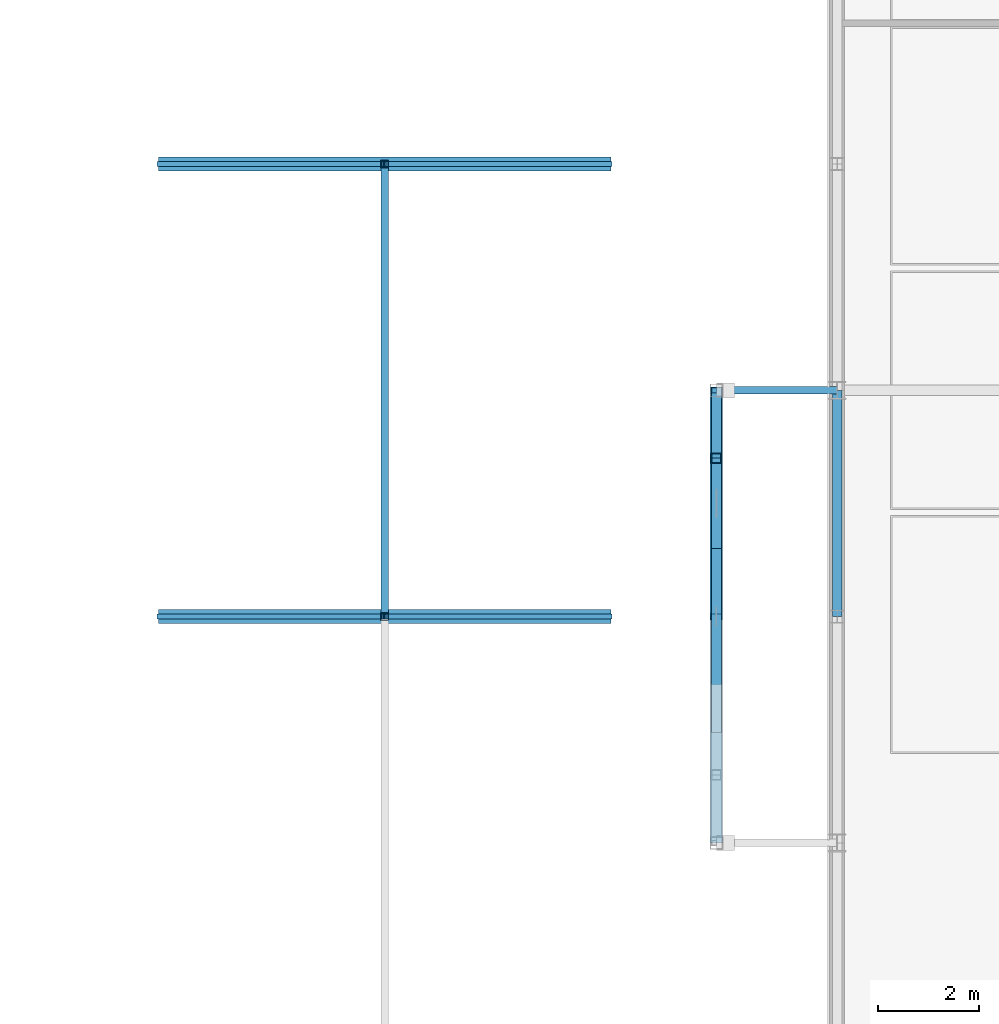
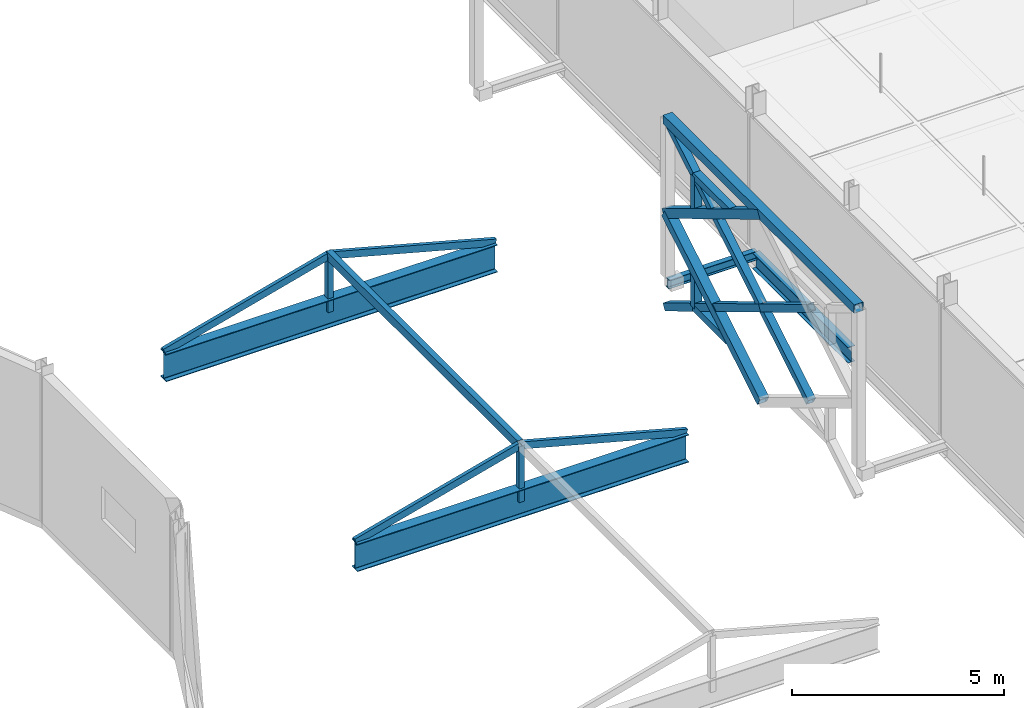
# One storey, part 19 of 89: 18 members, 5 beams.
"""IFC4 building model written with IfcOpenShell, lengths in metres."""

from ifc_helpers import new_model, si_unit, direction, frame, origin, origin_2d, place, context, subcontext, project, spatial, hollow_rectangle, i_section, extrude, material, material_profile, profile_set, type_object, element, save


model = new_model("IFC4")

# Units and contexts
model_context = context("Model", 3, precision=1e-05, world=origin(), true_north=direction((0.0, 1.0)))
body_context = subcontext(model_context, "Body", "Model", "MODEL_VIEW")
ifc_project = project(units=[si_unit("LENGTHUNIT", "METRE"), si_unit("AREAUNIT", "SQUARE_METRE"), si_unit("VOLUMEUNIT", "CUBIC_METRE"), si_unit("PLANEANGLEUNIT", "RADIAN"), si_unit("MASSUNIT", "GRAM", prefix="KILO"), si_unit("THERMODYNAMICTEMPERATUREUNIT", "KELVIN"), si_unit("POWERUNIT", "WATT")], contexts=[model_context])

# Site, building, storey
site_placement = place(None, origin())
site = spatial("IfcSite", under=ifc_project, at=site_placement, CompositionType="ELEMENT")
building_placement = place(site_placement, origin())
building = spatial("IfcBuilding", under=site, at=building_placement, Name="Tallowbark Science Centre", CompositionType="ELEMENT")
storey_placement = place(building_placement, frame((0.0, 0.0, 14.39990234375)))
storey = spatial("IfcBuildingStorey", under=building, at=storey_placement, Name="L03", CompositionType="ELEMENT", Elevation=14.39990234375)

# Beams
ifc_material_1 = material(Name="White Architectural Painted Steel Grade C350L0 (350 MPa)", Category="steel")
ifc_material_profile_1 = material_profile(ifc_material_1, i_section(OverallWidth=0.146484375, OverallDepth=0.256103515625, WebThickness=0.00634765625, FlangeThickness=0.010986328125, FilletRadius=0.0087890625, at=origin_2d()), Name="250UB37.3")
ifc_profile_set_1 = profile_set([ifc_material_profile_1], Name="White Architectural Painted Steel Grade C350L0 (350 MPa)")
beam_type_1 = type_object("IfcBeamType", Name="BM-OUT250", PredefinedType="BEAM", material=ifc_profile_set_1)
beam_1_placement = place(storey_placement, frame((58.5, 22.5, -0.25), z_axis=(-1.0, 0.0, 0.0), x_axis=(0.0, -1.0, 0.0)))
element("IfcBeam", 1, at=beam_1_placement, inside=storey, type_object=beam_type_1, Name="Star Screen Outrigger Tie Beam W-52", PredefinedType="BEAM", context=body_context, shape_type="SweptSolid", body=[
    extrude(i_section(OverallWidth=0.146484375, OverallDepth=0.256103515625, WebThickness=0.00634765625, FlangeThickness=0.010986328125, FilletRadius=0.0087890625, at=origin_2d()), origin(), (0.0, 0.0, 1.0), 2.39990234375),
])
ifc_material_2 = material(Name="Structural Steel Grade 300PLUS (300 MPa)", Category="steel")
ifc_material_profile_2 = material_profile(ifc_material_2, i_section(OverallWidth=0.27490234375, OverallDepth=0.7919921875, WebThickness=0.011962890625, FlangeThickness=0.02001953125, FilletRadius=0.013916015625, at=origin_2d()), Name="800WB146")
ifc_profile_set_2 = profile_set([ifc_material_profile_2], Name="Structural Steel Grade 300PLUS (300 MPa)")
beam_type_2 = type_object("IfcBeamType", Name="BM-WB800", PredefinedType="BEAM", material=ifc_profile_set_2)
for number, where, z_axis, x_axis, name in (
    (2, (45.0, 18.0, -1.449951171875), (1.0, 0.0, 0.0), (0.0, 1.0, 0.0), "Passage Skylight Tie Beam 3"),
    (3, (45.0, 27.0, -1.449951171875), (1.0, 0.0, 0.0), (0.0, 1.0, 0.0), "Passage Skylight Tie Beam 4H"),
):
    element("IfcBeam", number, at=place(storey_placement, frame(where, z_axis=z_axis, x_axis=x_axis)), inside=storey, type_object=beam_type_2, Name=name, PredefinedType="BEAM", context=body_context, shape_type="SweptSolid", body=[
        extrude(i_section(OverallWidth=0.27490234375, OverallDepth=0.7919921875, WebThickness=0.011962890625, FlangeThickness=0.02001953125, FilletRadius=0.013916015625, at=origin_2d()), origin(), (0.0, 0.0, 1.0), 9.0),
    ])

# Members
ifc_material_3 = material(Name="Structural Steel Grade C350L0 (350 MPa)", Category="steel")
ifc_material_profile_3 = material_profile(ifc_material_3, hollow_rectangle(XDim=0.10009765625, YDim=0.199951171875, WallThickness=0.006103515625, at=origin_2d()), Name="200x100x6.0RHS")
ifc_profile_set_3 = profile_set([ifc_material_profile_3], Name="Structural Steel Grade C350L0 (350 MPa)")
member_type_1 = type_object("IfcMemberType", Name="RFT-200RHS", PredefinedType="RAFTER", material=ifc_profile_set_3)
for number, where, z_axis, x_axis, name in (
    (4, (45.0, 18.0, -1.0498046875), (0.965923723713, 0.0, 0.258826891896), (0.0, 1.0, 0.0), "Passage Skylight West Rafter 3"),
    (5, (49.5, 18.0, 0.156005859375), (0.965923723713, 0.0, -0.258826891896), (0.0, 1.0, 0.0), "Passage Skylight East Rafter 3"),
    (6, (45.0, 27.0, -1.0498046875), (0.965923723713, 0.0, 0.258826891896), (0.0, 1.0, 0.0), "Passage Skylight West Rafter 4H"),
    (7, (49.5, 27.0, 0.156005859375), (0.965923723713, 0.0, -0.258826891896), (0.0, 1.0, 0.0), "Passage Skylight East Rafter 4H"),
):
    element("IfcMember", number, at=place(storey_placement, frame(where, z_axis=z_axis, x_axis=x_axis)), inside=storey, type_object=member_type_1, Name=name, PredefinedType="RAFTER", context=body_context, shape_type="SweptSolid", body=[
        extrude(hollow_rectangle(XDim=0.10009765625, YDim=0.199951171875, WallThickness=0.006103515625, at=origin_2d()), origin(), (0.0, 0.0, 1.0), 4.65869140625),
    ])
ifc_material_profile_4 = material_profile(ifc_material_1, hollow_rectangle(XDim=0.25, YDim=0.25, WallThickness=0.009033203125, at=origin_2d()), Name="250x250x9.0SHS")
ifc_profile_set_4 = profile_set([ifc_material_profile_4], Name="White Architectural Painted Steel Grade C350L0 (350 MPa)")
member_type_2 = type_object("IfcMemberType", Name="SCR-CHD200", PredefinedType="CHORD", material=ifc_profile_set_4)
member_1_placement = place(storey_placement, frame((56.10009765625, 13.5, 4.5), z_axis=(0.0, 1.0, 0.0), x_axis=(-1.0, 0.0, 0.0)))
element("IfcMember", 8, at=member_1_placement, inside=storey, type_object=member_type_2, Name="Star Screen Frame Chord W-30", PredefinedType="CHORD", context=body_context, shape_type="SweptSolid", body=[
    extrude(hollow_rectangle(XDim=0.25, YDim=0.25, WallThickness=0.009033203125, at=origin_2d()), origin(), (0.0, 0.0, 1.0), 9.0),
])
for number, where, z_axis, x_axis, name in (
    (9, (56.10009765625, 18.0, -0.89990234375), (0.0, 0.857497030584, 0.514488913912), (-1.0, 0.0, 0.0), "Star Screen Octagram Diamond Chord W-30-1"),
    (10, (56.10009765625, 22.5, 1.800048828125), (0.0, -0.857497030584, 0.514488913912), (1.0, 0.0, 0.0), "Star Screen Octagram Diamond Chord W-30-2"),
):
    element("IfcMember", number, at=place(storey_placement, frame(where, z_axis=z_axis, x_axis=x_axis)), inside=storey, type_object=member_type_2, Name=name, PredefinedType="CHORD", context=body_context, shape_type="SweptSolid", body=[
        extrude(hollow_rectangle(XDim=0.25, YDim=0.25, WallThickness=0.009033203125, at=origin_2d()), origin(), (0.0, 0.0, 1.0), 5.247802734375),
    ])
ifc_material_profile_5 = material_profile(ifc_material_1, hollow_rectangle(XDim=0.199951171875, YDim=0.199951171875, WallThickness=0.009033203125, at=origin_2d()), Name="200x200x9.0SHS")
ifc_profile_set_5 = profile_set([ifc_material_profile_5], Name="White Architectural Painted Steel Grade C350L0 (350 MPa)")
member_type_3 = type_object("IfcMemberType", Name="SCR-STAR139", PredefinedType="BRACE", material=ifc_profile_set_5)
member_2_placement = place(storey_placement, frame((56.10009765625, 15.75, 0.4501953125), z_axis=(0.0, 0.857497030584, 0.514488913912), x_axis=(-1.0, 0.0, 0.0)))
element("IfcMember", 11, at=member_2_placement, inside=storey, type_object=member_type_3, Name="Star Screen Continuous X-Diagonal D1M W-30", PredefinedType="BRACE", context=body_context, shape_type="SweptSolid", body=[
    extrude(hollow_rectangle(XDim=0.199951171875, YDim=0.199951171875, WallThickness=0.009033203125, at=origin_2d()), origin(), (0.0, 0.0, 1.0), 5.247802734375),
])
member_3_placement = place(storey_placement, frame((56.10009765625, 20.25, 3.150146484375), z_axis=(0.0, 0.857517554715, 0.514454704863), x_axis=(-1.0, 0.0, 0.0)))
element("IfcMember", 12, at=member_3_placement, inside=storey, type_object=member_type_3, Name="Star Screen Continuous X-Diagonal D1B W-30", PredefinedType="BRACE", context=body_context, shape_type="SweptSolid", body=[
    extrude(hollow_rectangle(XDim=0.199951171875, YDim=0.199951171875, WallThickness=0.009033203125, at=origin_2d()), origin(), (0.0, 0.0, 1.0), 2.623779296875),
])
member_4_placement = place(storey_placement, frame((56.10009765625, 15.75, 3.150146484375), z_axis=(0.0, 0.857476506072, -0.514523120505), x_axis=(-1.0, 0.0, 0.0)))
element("IfcMember", 13, at=member_4_placement, inside=storey, type_object=member_type_3, Name="Star Screen Split X-Diagonal D2B W-30", PredefinedType="BRACE", context=body_context, shape_type="SweptSolid", body=[
    extrude(hollow_rectangle(XDim=0.199951171875, YDim=0.199951171875, WallThickness=0.009033203125, at=origin_2d()), origin(), (0.0, 0.0, 1.0), 2.6240234375),
])
member_5_placement = place(storey_placement, frame((56.10009765625, 18.0, 1.800048828125), z_axis=(0.0, 0.857517554715, -0.514454704863), x_axis=(-1.0, 0.0, 0.0)))
element("IfcMember", 14, at=member_5_placement, inside=storey, type_object=member_type_3, Name="Star Screen Split X-Diagonal D2C W-30", PredefinedType="BRACE", context=body_context, shape_type="SweptSolid", body=[
    extrude(hollow_rectangle(XDim=0.199951171875, YDim=0.199951171875, WallThickness=0.009033203125, at=origin_2d()), origin(), (0.0, 0.0, 1.0), 2.623779296875),
])
member_6_placement = place(storey_placement, frame((56.10009765625, 20.25, 0.4501953125), z_axis=(0.0, 0.857476506072, -0.514523120505), x_axis=(-1.0, 0.0, 0.0)))
element("IfcMember", 15, at=member_6_placement, inside=storey, type_object=member_type_3, Name="Star Screen Split X-Diagonal D2D W-30", PredefinedType="BRACE", context=body_context, shape_type="SweptSolid", body=[
    extrude(hollow_rectangle(XDim=0.199951171875, YDim=0.199951171875, WallThickness=0.009033203125, at=origin_2d()), origin(), (0.0, 0.0, 1.0), 2.6240234375),
])
ifc_material_profile_6 = material_profile(ifc_material_1, hollow_rectangle(XDim=0.199951171875, YDim=0.199951171875, WallThickness=0.009033203125, at=origin_2d()), Name="200x200x9.0SHS")
ifc_profile_set_6 = profile_set([ifc_material_profile_6], Name="White Architectural Painted Steel Grade C350L0 (350 MPa)")
member_type_4 = type_object("IfcMemberType", Name="SCR-SUB150", PredefinedType="BRACE", material=ifc_profile_set_6)
member_7_placement = place(storey_placement, frame((56.10009765625, 21.14990234375, -0.08984375), z_axis=(0.0, -1.0, 0.0), x_axis=(1.0, 0.0, 0.0)))
element("IfcMember", 16, at=member_7_placement, inside=storey, type_object=member_type_4, Name="Star Screen Octagram Point Ray W-30-3", PredefinedType="BRACE", context=body_context, shape_type="SweptSolid", body=[
    extrude(hollow_rectangle(XDim=0.199951171875, YDim=0.199951171875, WallThickness=0.009033203125, at=origin_2d()), origin(), (0.0, 0.0, 1.0), 1.7998046875),
])
member_8_placement = place(storey_placement, frame((56.10009765625, 21.14990234375, -0.08984375), z_axis=(0.0, 0.0, 1.0), x_axis=(1.0, 0.0, 0.0)))
element("IfcMember", 17, at=member_8_placement, inside=storey, type_object=member_type_4, Name="Star Screen Octagram Point Ray W-30-4", PredefinedType="BRACE", context=body_context, shape_type="SweptSolid", body=[
    extrude(hollow_rectangle(XDim=0.199951171875, YDim=0.199951171875, WallThickness=0.009033203125, at=origin_2d()), origin(), (0.0, 0.0, 1.0), 1.079833984375),
])
member_9_placement = place(storey_placement, frame((56.10009765625, 21.14990234375, 3.690185546875), z_axis=(0.0, -1.0, 0.0), x_axis=(1.0, 0.0, 0.0)))
element("IfcMember", 18, at=member_9_placement, inside=storey, type_object=member_type_4, Name="Star Screen Octagram Point Ray W-30-5", PredefinedType="BRACE", context=body_context, shape_type="SweptSolid", body=[
    extrude(hollow_rectangle(XDim=0.199951171875, YDim=0.199951171875, WallThickness=0.009033203125, at=origin_2d()), origin(), (0.0, 0.0, 1.0), 1.7998046875),
])
member_10_placement = place(storey_placement, frame((56.10009765625, 21.14990234375, 3.690185546875), z_axis=(0.0, 0.0, -1.0), x_axis=(1.0, 0.0, 0.0)))
element("IfcMember", 19, at=member_10_placement, inside=storey, type_object=member_type_4, Name="Star Screen Octagram Point Ray W-30-6", PredefinedType="BRACE", context=body_context, shape_type="SweptSolid", body=[
    extrude(hollow_rectangle(XDim=0.199951171875, YDim=0.199951171875, WallThickness=0.009033203125, at=origin_2d()), origin(), (0.0, 0.0, 1.0), 1.080078125),
])

# Beams
ifc_material_profile_7 = material_profile(ifc_material_1, hollow_rectangle(XDim=0.14990234375, YDim=0.25, WallThickness=0.009033203125, at=origin_2d()), Name="250x150x9.0RHS")
ifc_profile_set_7 = profile_set([ifc_material_profile_7], Name="White Architectural Painted Steel Grade C350L0 (350 MPa)")
beam_type_3 = type_object("IfcBeamType", Name="SPN-RHS250", PredefinedType="SPANDREL", material=ifc_profile_set_7)
beam_2_placement = place(storey_placement, frame((49.5, 18.0, 0.156005859375), z_axis=(0.0, 1.0, 0.0), x_axis=(-1.0, 0.0, 0.0)))
element("IfcBeam", 20, at=beam_2_placement, inside=storey, type_object=beam_type_3, Name="Passage Skylight Ridge Beam 3", PredefinedType="SPANDREL", context=body_context, shape_type="SweptSolid", body=[
    extrude(hollow_rectangle(XDim=0.14990234375, YDim=0.25, WallThickness=0.009033203125, at=origin_2d()), origin(), (0.0, 0.0, 1.0), 9.0),
])
ifc_material_profile_8 = material_profile(ifc_material_2, i_section(OverallWidth=0.18994140625, OverallDepth=0.453857421875, WebThickness=0.008544921875, FlangeThickness=0.0126953125, FilletRadius=0.011474609375, at=origin_2d()), Name="460UB67.1")
ifc_profile_set_8 = profile_set([ifc_material_profile_8], Name="Structural Steel Grade 300PLUS (300 MPa)")
beam_type_4 = type_object("IfcBeamType", Name="SPN-UB460", PredefinedType="SPANDREL", material=ifc_profile_set_8)
beam_3_placement = place(storey_placement, frame((58.5, 18.0, -0.40673828125), z_axis=(0.0, 1.0, 0.0), x_axis=(-1.0, 0.0, 0.0)))
element("IfcBeam", 21, at=beam_3_placement, inside=storey, type_object=beam_type_4, Name="Primary Girder GRDY-L03-585-180-225", PredefinedType="SPANDREL", context=body_context, shape_type="SweptSolid", body=[
    extrude(i_section(OverallWidth=0.18994140625, OverallDepth=0.453857421875, WebThickness=0.008544921875, FlangeThickness=0.0126953125, FilletRadius=0.011474609375, at=origin_2d()), origin(), (0.0, 0.0, 1.0), 4.5),
])

# Members
ifc_material_profile_9 = material_profile(ifc_material_3, hollow_rectangle(XDim=0.14990234375, YDim=0.14990234375, WallThickness=0.006103515625, at=origin_2d()), Name="150x150x6.0SHS")
ifc_profile_set_9 = profile_set([ifc_material_profile_9], Name="Structural Steel Grade C350L0 (350 MPa)")
member_type_5 = type_object("IfcMemberType", Name="STR-PAS-KP", PredefinedType="POST", material=ifc_profile_set_9)
for number, where, z_axis, x_axis, name in (
    (22, (49.5, 18.0, -1.449951171875), (0.0, 0.0, 1.0), (1.0, 0.0, 0.0), "Passage Skylight Truss King Post 3"),
    (23, (49.5, 27.0, -1.449951171875), (0.0, 0.0, 1.0), (1.0, 0.0, 0.0), "Passage Skylight Truss King Post 4H"),
):
    element("IfcMember", number, at=place(storey_placement, frame(where, z_axis=z_axis, x_axis=x_axis)), inside=storey, type_object=member_type_5, Name=name, PredefinedType="POST", context=body_context, shape_type="SweptSolid", body=[
        extrude(hollow_rectangle(XDim=0.14990234375, YDim=0.14990234375, WallThickness=0.006103515625, at=origin_2d()), origin(), (0.0, 0.0, 1.0), 1.60595703125),
    ])

save(model, "model.ifc")
